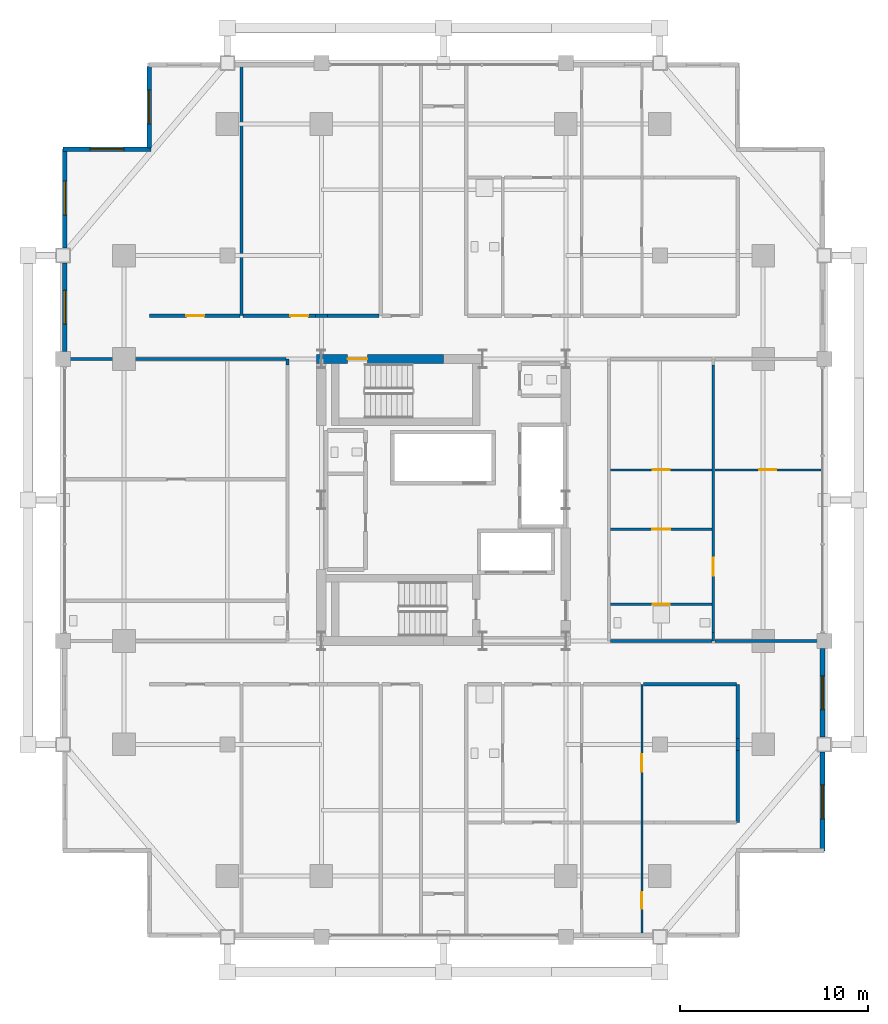
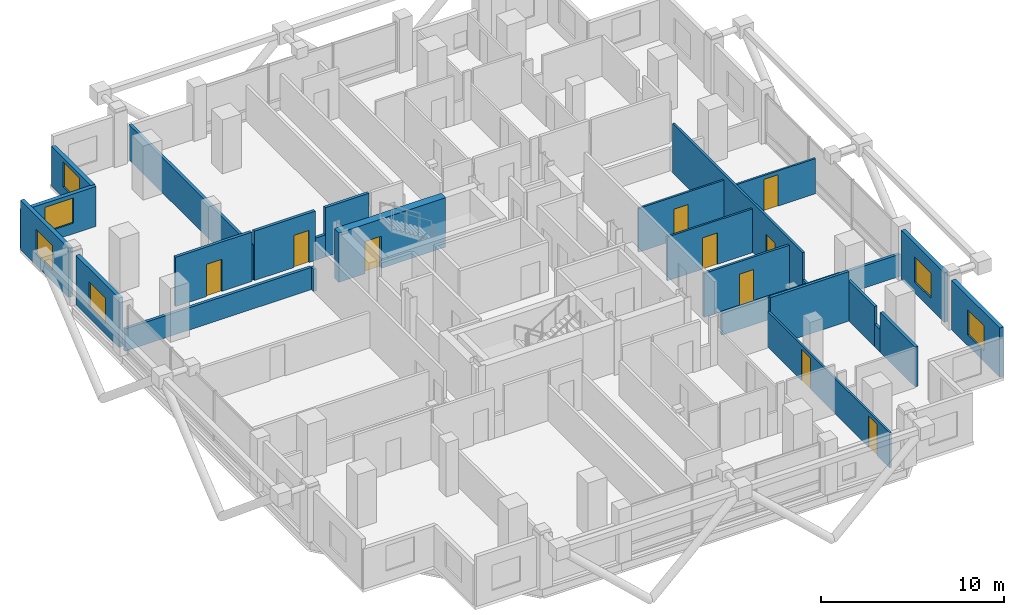
# One storey, part 21 of 25: 27 walls, 10 doors, 6 windows, 16 openings.
"""IFC4 building model written with IfcOpenShell, lengths in metres."""

from ifc_helpers import new_model, si_unit, direction, frame, frame_2d, origin, place, context, subcontext, project, spatial, rectangle, extrude, material, layer, layer_set, type_object, element, fill, save


model = new_model("IFC4")

# Units and contexts
model_context = context("Model", 3, precision=1e-05, world=origin(), true_north=direction((0.0, 1.0)))
body_context = subcontext(model_context, "Body", "Model", "MODEL_VIEW")
ifc_project = project(units=[si_unit("LENGTHUNIT", "METRE"), si_unit("AREAUNIT", "SQUARE_METRE"), si_unit("VOLUMEUNIT", "CUBIC_METRE"), si_unit("PLANEANGLEUNIT", "RADIAN"), si_unit("MASSUNIT", "GRAM", prefix="KILO")], contexts=[model_context])

# Site, building, storey
site_placement = place(None, origin())
site = spatial("IfcSite", under=ifc_project, at=site_placement, CompositionType="ELEMENT")
building_placement = place(site_placement, origin())
building = spatial("IfcBuilding", under=site, at=building_placement, Name="Barlavira Tower and Art Museum", CompositionType="ELEMENT")
storey_placement = place(building_placement, frame((0.0, 0.0, 162.0)))
storey = spatial("IfcBuildingStorey", under=building, at=storey_placement, Name="L41", CompositionType="ELEMENT", Elevation=162.0)

# Wall, openings, doors
ifc_material_1 = material(Name="Gypsum acoustic stud partition", Category="gypsum")
ifc_layer_1 = layer(ifc_material_1, 0.1201171875, Name="Gypsum acoustic stud partition")
ifc_layer_set_1 = layer_set([ifc_layer_1], Name="Gypsum acoustic stud partition")
wall_type_1 = type_object("IfcWallType", Name="Apartment Internal Acoustic Partition 120", PredefinedType="PARTITIONING", material=ifc_layer_set_1)
wall_1_placement = place(storey_placement, frame((10.550048828125, -23.14990234375, 0.0), z_axis=(0.0, 0.0, 1.0), x_axis=(0.0, 1.0, 0.0)))
wall_1 = element("IfcWall", 1, at=wall_1_placement, inside=storey, type_object=wall_type_1, Name="L41 Partition Wall 22", PredefinedType="PARTITIONING", context=body_context, shape_type="SweptSolid", body=[
    extrude(rectangle(XDim=13.349853515625, YDim=0.1201171875, at=frame_2d((6.6748046875, 0.0))), origin(), (0.0, 0.0, 1.0), 2.35302734375),
])
opening_1_placement = place(wall_1_placement, frame((8.686767578125, 0.0, 0.0)))
opening_1 = element("IfcOpeningElement", 2, at=opening_1_placement, cuts=wall_1, Name="Opening D-02", PredefinedType="OPENING", context=body_context, shape_type="SweptSolid", body=[
    extrude(rectangle(XDim=0.949951171875, YDim=2.10009765625, at=frame_2d((0.47509765625, 1.050048828125))), frame((0.0, 0.070068359375, 0.0), z_axis=(0.0, -1.0, 0.0), x_axis=(1.0, 0.0, 0.0)), (0.0, 0.0, 1.0), 0.14013671875),
])
opening_2_placement = place(wall_1_placement, frame((1.39892578125, 0.0, 0.0)))
opening_2 = element("IfcOpeningElement", 3, at=opening_2_placement, cuts=wall_1, Name="Opening D-01", PredefinedType="OPENING", context=body_context, shape_type="SweptSolid", body=[
    extrude(rectangle(XDim=0.89990234375, YDim=2.10009765625, at=frame_2d((0.449951171875, 1.050048828125))), frame((0.0, 0.070068359375, 0.0), z_axis=(0.0, -1.0, 0.0), x_axis=(1.0, 0.0, 0.0)), (0.0, 0.0, 1.0), 0.14013671875),
])
ifc_material_2 = material(Name="Engineered coastal hardwood", Category="wood")
door_type_1 = type_object("IfcDoorType", Name="Internal Bedroom Timber Flush Door 900x2100", OperationType="NOTDEFINED", PredefinedType="DOOR", material=ifc_material_2)
door_1_placement = place(opening_2_placement, origin())
door_1 = element("IfcDoor", 4, at=door_1_placement, inside=storey, type_object=door_type_1, Name="Apartment SE1 Bedroom 2 Door", OperationType="SINGLE_SWING_LEFT", OverallHeight=2.10009765625, OverallWidth=0.89990234375, PredefinedType="DOOR", context=body_context, shape_type="SweptSolid", body=[
    extrude(rectangle(XDim=0.89990234375, YDim=2.10009765625, at=frame_2d((0.449951171875, 1.050048828125))), frame((0.0, 0.02490234375, 0.0), z_axis=(0.0, -1.0, 0.0), x_axis=(1.0, 0.0, 0.0)), (0.0, 0.0, 1.0), 0.050048828125),
])
fill(opening_2, door_1)
door_type_2 = type_object("IfcDoorType", Name="Living and Salon Glazed-Leaf Door 950x2100", OperationType="NOTDEFINED", PredefinedType="DOOR", material=ifc_material_2)
door_2_placement = place(opening_1_placement, origin())
door_2 = element("IfcDoor", 5, at=door_2_placement, inside=storey, type_object=door_type_2, Name="Apartment SE1 Dining Salon Door", OperationType="SINGLE_SWING_RIGHT", OverallHeight=2.10009765625, OverallWidth=0.949951171875, PredefinedType="DOOR", context=body_context, shape_type="SweptSolid", body=[
    extrude(rectangle(XDim=0.949951171875, YDim=2.10009765625, at=frame_2d((0.47509765625, 1.050048828125))), frame((0.0, 0.02490234375, 0.0), z_axis=(0.0, -1.0, 0.0), x_axis=(1.0, 0.0, 0.0)), (0.0, 0.0, 1.0), 0.050048828125),
])
fill(opening_1, door_2)

# Wall, opening, door
wall_2_placement = place(storey_placement, frame((8.8798828125, -1.550048828125, 0.0), z_axis=(0.0, 0.0, 1.0), x_axis=(1.0, 0.0, 0.0)))
wall_2 = element("IfcWall", 6, at=wall_2_placement, inside=storey, type_object=wall_type_1, Name="L41 Partition Wall 59", PredefinedType="PARTITIONING", context=body_context, shape_type="SweptSolid", body=[
    extrude(rectangle(XDim=5.39013671875, YDim=0.1201171875, at=frame_2d((2.695068359375, 0.0))), origin(), (0.0, 0.0, 1.0), 2.930908203125),
])
opening_3_placement = place(wall_2_placement, frame((2.215087890625, 0.0, 0.0)))
opening_3 = element("IfcOpeningElement", 7, at=opening_3_placement, cuts=wall_2, Name="Opening D-02", PredefinedType="OPENING", context=body_context, shape_type="SweptSolid", body=[
    extrude(rectangle(XDim=0.949951171875, YDim=2.10009765625, at=frame_2d((0.47509765625, 1.050048828125))), frame((0.0, 0.070068359375, 0.0), z_axis=(0.0, -1.0, 0.0), x_axis=(1.0, 0.0, 0.0)), (0.0, 0.0, 1.0), 0.14013671875),
])
door_3_placement = place(opening_3_placement, origin())
door_3 = element("IfcDoor", 8, at=door_3_placement, inside=storey, type_object=door_type_2, Name="Apartment E1 Kitchen Door", OperationType="SINGLE_SWING_RIGHT", OverallHeight=2.10009765625, OverallWidth=0.949951171875, PredefinedType="DOOR", context=body_context, shape_type="SweptSolid", body=[
    extrude(rectangle(XDim=0.949951171875, YDim=2.10009765625, at=frame_2d((0.47509765625, 1.050048828125))), frame((0.0, 0.02490234375, 0.0), z_axis=(0.0, -1.0, 0.0), x_axis=(1.0, 0.0, 0.0)), (0.0, 0.0, 1.0), 0.050048828125),
])
fill(opening_3, door_3)

wall_3_placement = place(storey_placement, frame((8.8798828125, 1.60009765625, 0.0), z_axis=(0.0, 0.0, 1.0), x_axis=(1.0, 0.0, 0.0)))
wall_3 = element("IfcWall", 9, at=wall_3_placement, inside=storey, type_object=wall_type_1, Name="L41 Partition Wall 62", PredefinedType="PARTITIONING", context=body_context, shape_type="SweptSolid", body=[
    extrude(rectangle(XDim=5.39013671875, YDim=0.1201171875, at=frame_2d((2.695068359375, 0.0))), origin(), (0.0, 0.0, 1.0), 2.930908203125),
])
opening_4_placement = place(wall_3_placement, frame((2.239990234375, 0.0, 0.0)))
opening_4 = element("IfcOpeningElement", 10, at=opening_4_placement, cuts=wall_3, Name="Opening D-01", PredefinedType="OPENING", context=body_context, shape_type="SweptSolid", body=[
    extrude(rectangle(XDim=0.89990234375, YDim=2.10009765625, at=frame_2d((0.449951171875, 1.050048828125))), frame((0.0, 0.070068359375, 0.0), z_axis=(0.0, -1.0, 0.0), x_axis=(1.0, 0.0, 0.0)), (0.0, 0.0, 1.0), 0.14013671875),
])
door_4_placement = place(opening_4_placement, origin())
door_4 = element("IfcDoor", 11, at=door_4_placement, inside=storey, type_object=door_type_1, Name="Apartment E1 Walk-In Dressing Room Door", OperationType="SINGLE_SWING_LEFT", OverallHeight=2.10009765625, OverallWidth=0.89990234375, PredefinedType="DOOR", context=body_context, shape_type="SweptSolid", body=[
    extrude(rectangle(XDim=0.89990234375, YDim=2.10009765625, at=frame_2d((0.449951171875, 1.050048828125))), frame((0.0, 0.02490234375, 0.0), z_axis=(0.0, -1.0, 0.0), x_axis=(1.0, 0.0, 0.0)), (0.0, 0.0, 1.0), 0.050048828125),
])
fill(opening_4, door_4)

wall_4_placement = place(storey_placement, frame((14.429931640625, 1.60009765625, 0.0), z_axis=(0.0, 0.0, 1.0), x_axis=(1.0, 0.0, 0.0)))
wall_4 = element("IfcWall", 12, at=wall_4_placement, inside=storey, type_object=wall_type_1, Name="L41 Partition Wall 63", PredefinedType="PARTITIONING", context=body_context, shape_type="SweptSolid", body=[
    extrude(rectangle(XDim=5.64013671875, YDim=0.1201171875, at=frame_2d((2.820068359375, 0.0))), origin(), (0.0, 0.0, 1.0), 2.35302734375),
])
opening_5_placement = place(wall_4_placement, frame((2.3701171875, 0.0, 0.0)))
opening_5 = element("IfcOpeningElement", 13, at=opening_5_placement, cuts=wall_4, Name="Opening D-01", PredefinedType="OPENING", context=body_context, shape_type="SweptSolid", body=[
    extrude(rectangle(XDim=0.89990234375, YDim=2.10009765625, at=frame_2d((0.449951171875, 1.050048828125))), frame((0.0, 0.070068359375, 0.0), z_axis=(0.0, -1.0, 0.0), x_axis=(1.0, 0.0, 0.0)), (0.0, 0.0, 1.0), 0.14013671875),
])
door_5_placement = place(opening_5_placement, origin())
door_5 = element("IfcDoor", 14, at=door_5_placement, inside=storey, type_object=door_type_1, Name="Apartment E1 Bedroom 1 Door", OperationType="SINGLE_SWING_LEFT", OverallHeight=2.10009765625, OverallWidth=0.89990234375, PredefinedType="DOOR", context=body_context, shape_type="SweptSolid", body=[
    extrude(rectangle(XDim=0.89990234375, YDim=2.10009765625, at=frame_2d((0.449951171875, 1.050048828125))), frame((0.0, 0.02490234375, 0.0), z_axis=(0.0, -1.0, 0.0), x_axis=(1.0, 0.0, 0.0)), (0.0, 0.0, 1.0), 0.050048828125),
])
fill(opening_5, door_5)

ifc_material_3 = material(Name="Concrete C60", Category="concrete")
ifc_layer_2 = layer(ifc_material_3, 0.5, Name="Concrete C60")
ifc_layer_set_2 = layer_set([ifc_layer_2], Name="Concrete C60")
wall_type_2 = type_object("IfcWallType", Name="Core Structural Shear Wall 500 Concrete C60", PredefinedType="SHEAR", material=ifc_layer_set_2)
wall_5_placement = place(storey_placement, frame((-6.75, 7.5, 0.0), z_axis=(0.0, 0.0, 1.0), x_axis=(1.0, 0.0, 0.0)))
wall_5 = element("IfcWall", 15, at=wall_5_placement, inside=storey, type_object=wall_type_2, Name="L41 Core Shear Wall CS-NW", PredefinedType="SHEAR", context=body_context, shape_type="SweptSolid", body=[
    extrude(rectangle(XDim=6.75, YDim=0.5, at=frame_2d((3.375, 0.0))), origin(), (0.0, 0.0, 1.0), 3.300048828125),
])
opening_6_placement = place(wall_5_placement, frame((1.64990234375, 0.0, 0.0)))
opening_6 = element("IfcOpeningElement", 16, at=opening_6_placement, cuts=wall_5, Name="Opening FD-90", PredefinedType="OPENING", context=body_context, shape_type="SweptSolid", body=[
    extrude(rectangle(XDim=1.050048828125, YDim=2.14990234375, at=frame_2d((0.52490234375, 1.074951171875))), frame((0.0, 0.260009765625, 0.0), z_axis=(0.0, -1.0, 0.0), x_axis=(1.0, 0.0, 0.0)), (0.0, 0.0, 1.0), 0.52001953125),
])
ifc_material_4 = material(Name="Brushed stainless steel", Category="steel")
door_type_3 = type_object("IfcDoorType", Name="Stair and Refuge Fire Door 1050x2150 FD90S", OperationType="NOTDEFINED", PredefinedType="DOOR", material=ifc_material_4)
door_6_placement = place(opening_6_placement, origin())
door_6 = element("IfcDoor", 17, at=door_6_placement, inside=storey, type_object=door_type_3, Name="L41 Stair ST-T2 Fire Door", OperationType="SINGLE_SWING_LEFT", OverallHeight=2.14990234375, OverallWidth=1.050048828125, PredefinedType="DOOR", context=body_context, shape_type="SweptSolid", body=[
    extrude(rectangle(XDim=1.050048828125, YDim=2.14990234375, at=frame_2d((0.52490234375, 1.074951171875))), frame((0.0, 0.02490234375, 0.0), z_axis=(0.0, -1.0, 0.0), x_axis=(1.0, 0.0, 0.0)), (0.0, 0.0, 1.0), 0.050048828125),
])
fill(opening_6, door_6)

# Walls
ifc_layer_3 = layer(ifc_material_1, 0.179931640625, Name="Gypsum acoustic stud partition")
ifc_layer_set_3 = layer_set([ifc_layer_3], Name="Gypsum acoustic stud partition")
wall_type_3 = type_object("IfcWallType", Name="Inter-Tenancy Party Partition Wall 180", PredefinedType="PARTITIONING", material=ifc_layer_set_3)
wall_6_placement = place(storey_placement, frame((-10.75, 9.800048828125, 0.0), z_axis=(0.0, 0.0, 1.0), x_axis=(0.0, 1.0, 0.0)))
element("IfcWall", 18, at=wall_6_placement, inside=storey, type_object=wall_type_3, Name="L41 Partition Wall 2", PredefinedType="PARTITIONING", context=body_context, shape_type="SweptSolid", body=[
    extrude(rectangle(XDim=13.349853515625, YDim=0.179931640625, at=frame_2d((6.6748046875, 0.0))), origin(), (0.0, 0.0, 1.0), 2.35302734375),
])
wall_7_placement = place(storey_placement, frame((-8.300048828125, 7.18505859375, 0.0), z_axis=(0.0, 0.0, 1.0), x_axis=(0.0, 1.0, 0.0)))
element("IfcWall", 19, at=wall_7_placement, inside=storey, type_object=wall_type_3, Name="L41 Partition Wall 5", PredefinedType="PARTITIONING", context=body_context, shape_type="SweptSolid", body=[
    extrude(rectangle(XDim=0.31494140625, YDim=0.179931640625, at=frame_2d((0.157470703125, 0.0))), origin(), (0.0, 0.0, 1.0), 1.485107421875),
])
wall_8_placement = place(storey_placement, frame((15.64990234375, -17.14990234375, 0.0), z_axis=(0.0, 0.0, 1.0), x_axis=(0.0, 1.0, 0.0)))
element("IfcWall", 20, at=wall_8_placement, inside=storey, type_object=wall_type_3, Name="L41 Partition Wall 27", PredefinedType="PARTITIONING", context=body_context, shape_type="SweptSolid", body=[
    extrude(rectangle(XDim=3.8349609375, YDim=0.179931640625, at=frame_2d((1.91748046875, 0.0))), origin(), (0.0, 0.0, 1.0), 2.66796875),
])
wall_9_placement = place(storey_placement, frame((15.64990234375, -13.31494140625, 0.0), z_axis=(0.0, 0.0, 1.0), x_axis=(0.0, 1.0, 0.0)))
element("IfcWall", 21, at=wall_9_placement, inside=storey, type_object=wall_type_3, Name="L41 Partition Wall 28", PredefinedType="PARTITIONING", context=body_context, shape_type="SweptSolid", body=[
    extrude(rectangle(XDim=0.6298828125, YDim=0.179931640625, at=frame_2d((0.31494140625, 0.0))), origin(), (0.0, 0.0, 1.0), 1.485107421875),
])
wall_10_placement = place(storey_placement, frame((15.64990234375, -12.68505859375, 0.0), z_axis=(0.0, 0.0, 1.0), x_axis=(0.0, 1.0, 0.0)))
element("IfcWall", 22, at=wall_10_placement, inside=storey, type_object=wall_type_3, Name="L41 Partition Wall 29", PredefinedType="PARTITIONING", context=body_context, shape_type="SweptSolid", body=[
    extrude(rectangle(XDim=2.885009765625, YDim=0.179931640625, at=frame_2d((1.4423828125, 0.0))), origin(), (0.0, 0.0, 1.0), 2.66796875),
])
wall_11_placement = place(storey_placement, frame((10.6298828125, -9.800048828125, 0.0), z_axis=(0.0, 0.0, 1.0), x_axis=(1.0, 0.0, 0.0)))
element("IfcWall", 23, at=wall_11_placement, inside=storey, type_object=wall_type_3, Name="L41 Partition Wall 52", PredefinedType="PARTITIONING", context=body_context, shape_type="SweptSolid", body=[
    extrude(rectangle(XDim=4.940185546875, YDim=0.179931640625, at=frame_2d((2.47021484375, 0.0))), origin(), (0.0, 0.0, 1.0), 3.300048828125),
])
wall_12_placement = place(storey_placement, frame((8.8798828125, -7.5, 0.0), z_axis=(0.0, 0.0, 1.0), x_axis=(1.0, 0.0, 0.0)))
element("IfcWall", 24, at=wall_12_placement, inside=storey, type_object=wall_type_3, Name="L41 Partition Wall 54", PredefinedType="PARTITIONING", context=body_context, shape_type="SweptSolid", body=[
    extrude(rectangle(XDim=5.39013671875, YDim=0.179931640625, at=frame_2d((2.695068359375, 0.0))), origin(), (0.0, 0.0, 1.0), 1.485107421875),
])
wall_13_placement = place(storey_placement, frame((14.429931640625, -7.5, 0.0), z_axis=(0.0, 0.0, 1.0), x_axis=(1.0, 0.0, 0.0)))
element("IfcWall", 25, at=wall_13_placement, inside=storey, type_object=wall_type_3, Name="L41 Partition Wall 55", PredefinedType="PARTITIONING", context=body_context, shape_type="SweptSolid", body=[
    extrude(rectangle(XDim=5.719970703125, YDim=0.179931640625, at=frame_2d((2.85986328125, 0.0))), origin(), (0.0, 0.0, 1.0), 1.485107421875),
])
wall_14_placement = place(storey_placement, frame((-20.14990234375, 7.5, 0.0), z_axis=(0.0, 0.0, 1.0), x_axis=(1.0, 0.0, 0.0)))
element("IfcWall", 26, at=wall_14_placement, inside=storey, type_object=wall_type_3, Name="L41 Partition Wall 67", PredefinedType="PARTITIONING", context=body_context, shape_type="SweptSolid", body=[
    extrude(rectangle(XDim=11.77001953125, YDim=0.179931640625, at=frame_2d((5.885009765625, 0.0))), origin(), (0.0, 0.0, 1.0), 1.485107421875),
])

# Wall, opening, door
wall_15_placement = place(storey_placement, frame((-15.64990234375, 9.800048828125, 0.0), z_axis=(0.0, 0.0, 1.0), x_axis=(1.0, 0.0, 0.0)))
wall_15 = element("IfcWall", 27, at=wall_15_placement, inside=storey, type_object=wall_type_3, Name="L41 Partition Wall 70", PredefinedType="PARTITIONING", context=body_context, shape_type="SweptSolid", body=[
    extrude(rectangle(XDim=4.81982421875, YDim=0.179931640625, at=frame_2d((2.409912109375, 0.0))), origin(), (0.0, 0.0, 1.0), 3.300048828125),
])
opening_7_placement = place(wall_15_placement, frame((1.97509765625, 0.0, 0.0)))
opening_7 = element("IfcOpeningElement", 28, at=opening_7_placement, cuts=wall_15, Name="Opening FD-60", PredefinedType="OPENING", context=body_context, shape_type="SweptSolid", body=[
    extrude(rectangle(XDim=0.949951171875, YDim=2.14990234375, at=frame_2d((0.47509765625, 1.074951171875))), frame((0.0, 0.10009765625, 0.0), z_axis=(0.0, -1.0, 0.0), x_axis=(1.0, 0.0, 0.0)), (0.0, 0.0, 1.0), 0.199951171875),
])
door_type_4 = type_object("IfcDoorType", Name="Apartment Entrance and Riser Fire Door 950x2150 FD60S", OperationType="NOTDEFINED", PredefinedType="DOOR", material=ifc_material_4)
door_7_placement = place(opening_7_placement, origin())
door_7 = element("IfcDoor", 29, at=door_7_placement, inside=storey, type_object=door_type_4, Name="Resident Art Collectors Salon Door", OperationType="SINGLE_SWING_LEFT", OverallHeight=2.14990234375, OverallWidth=0.949951171875, PredefinedType="DOOR", context=body_context, shape_type="SweptSolid", body=[
    extrude(rectangle(XDim=0.949951171875, YDim=2.14990234375, at=frame_2d((0.47509765625, 1.074951171875))), frame((0.0, 0.02490234375, 0.0), z_axis=(0.0, -1.0, 0.0), x_axis=(1.0, 0.0, 0.0)), (0.0, 0.0, 1.0), 0.050048828125),
])
fill(opening_7, door_7)

wall_16_placement = place(storey_placement, frame((-10.669921875, 9.800048828125, 0.0), z_axis=(0.0, 0.0, 1.0), x_axis=(1.0, 0.0, 0.0)))
wall_16 = element("IfcWall", 30, at=wall_16_placement, inside=storey, type_object=wall_type_3, Name="L41 Partition Wall 71", PredefinedType="PARTITIONING", context=body_context, shape_type="SweptSolid", body=[
    extrude(rectangle(XDim=3.85498046875, YDim=0.179931640625, at=frame_2d((1.927490234375, 0.0))), origin(), (0.0, 0.0, 1.0), 3.300048828125),
])
opening_8_placement = place(wall_16_placement, frame((2.5185546875, 0.0, 0.0)))
opening_8 = element("IfcOpeningElement", 31, at=opening_8_placement, cuts=wall_16, Name="Opening FD-60", PredefinedType="OPENING", context=body_context, shape_type="SweptSolid", body=[
    extrude(rectangle(XDim=0.949951171875, YDim=2.14990234375, at=frame_2d((0.47509765625, 1.074951171875))), frame((0.0, 0.10009765625, 0.0), z_axis=(0.0, -1.0, 0.0), x_axis=(1.0, 0.0, 0.0)), (0.0, 0.0, 1.0), 0.199951171875),
])
door_8_placement = place(opening_8_placement, origin())
door_8 = element("IfcDoor", 32, at=door_8_placement, inside=storey, type_object=door_type_4, Name="Sculpture and Painting Workshop Door", OperationType="SINGLE_SWING_RIGHT", OverallHeight=2.14990234375, OverallWidth=0.949951171875, PredefinedType="DOOR", context=body_context, shape_type="SweptSolid", body=[
    extrude(rectangle(XDim=0.949951171875, YDim=2.14990234375, at=frame_2d((0.47509765625, 1.074951171875))), frame((0.0, 0.02490234375, 0.0), z_axis=(0.0, -1.0, 0.0), x_axis=(1.0, 0.0, 0.0)), (0.0, 0.0, 1.0), 0.050048828125),
])
fill(opening_8, door_8)

# Walls
wall_17_placement = place(storey_placement, frame((-6.81494140625, 9.800048828125, 0.0), z_axis=(0.0, 0.0, 1.0), x_axis=(1.0, 0.0, 0.0)))
element("IfcWall", 33, at=wall_17_placement, inside=storey, type_object=wall_type_3, Name="L41 Partition Wall 72", PredefinedType="PARTITIONING", context=body_context, shape_type="SweptSolid", body=[
    extrude(rectangle(XDim=0.6298828125, YDim=0.179931640625, at=frame_2d((0.31494140625, 0.0))), origin(), (0.0, 0.0, 1.0), 1.485107421875),
])
wall_18_placement = place(storey_placement, frame((-6.18505859375, 9.800048828125, 0.0), z_axis=(0.0, 0.0, 1.0), x_axis=(1.0, 0.0, 0.0)))
element("IfcWall", 34, at=wall_18_placement, inside=storey, type_object=wall_type_3, Name="L41 Partition Wall 73", PredefinedType="PARTITIONING", context=body_context, shape_type="SweptSolid", body=[
    extrude(rectangle(XDim=2.755126953125, YDim=0.179931640625, at=frame_2d((1.37744140625, 0.0))), origin(), (0.0, 0.0, 1.0), 3.300048828125),
])
ifc_layer_4 = layer(ifc_material_1, 0.139892578125, Name="Gypsum acoustic stud partition")
ifc_layer_set_4 = layer_set([ifc_layer_4], Name="Gypsum acoustic stud partition")
wall_type_4 = type_object("IfcWallType", Name="Moisture-Resistant Bathroom Partition 140", PredefinedType="PARTITIONING", material=ifc_layer_set_4)
wall_19_placement = place(storey_placement, frame((14.35009765625, -7.5, 0.0), z_axis=(0.0, 0.0, 1.0), x_axis=(0.0, 1.0, 0.0)))
element("IfcWall", 35, at=wall_19_placement, inside=storey, type_object=wall_type_4, Name="L41 Partition Wall 24", PredefinedType="PARTITIONING", context=body_context, shape_type="SweptSolid", body=[
    extrude(rectangle(XDim=0.449951171875, YDim=0.139892578125, at=frame_2d((0.22509765625, 0.0))), origin(), (0.0, 0.0, 1.0), 1.485107421875),
])

# Wall, opening, door
wall_20_placement = place(storey_placement, frame((14.35009765625, -7.050048828125, 0.0), z_axis=(0.0, 0.0, 1.0), x_axis=(0.0, 1.0, 0.0)))
wall_20 = element("IfcWall", 36, at=wall_20_placement, inside=storey, type_object=wall_type_4, Name="L41 Partition Wall 25", PredefinedType="PARTITIONING", context=body_context, shape_type="SweptSolid", body=[
    extrude(rectangle(XDim=14.235107421875, YDim=0.139892578125, at=frame_2d((7.11767578125, 0.0))), origin(), (0.0, 0.0, 1.0), 3.300048828125),
])
opening_9_placement = place(wall_20_placement, frame((3.02490234375, 0.0, 0.0)))
opening_9 = element("IfcOpeningElement", 37, at=opening_9_placement, cuts=wall_20, Name="Opening D-02", PredefinedType="OPENING", context=body_context, shape_type="SweptSolid", body=[
    extrude(rectangle(XDim=0.949951171875, YDim=2.10009765625, at=frame_2d((0.47509765625, 1.050048828125))), frame((0.0, 0.080078125, 0.0), z_axis=(0.0, -1.0, 0.0), x_axis=(1.0, 0.0, 0.0)), (0.0, 0.0, 1.0), 0.159912109375),
])
door_9_placement = place(opening_9_placement, origin())
door_9 = element("IfcDoor", 38, at=door_9_placement, inside=storey, type_object=door_type_2, Name="Apartment E1 Living Lounge Door", OperationType="SINGLE_SWING_RIGHT", OverallHeight=2.10009765625, OverallWidth=0.949951171875, PredefinedType="DOOR", context=body_context, shape_type="SweptSolid", body=[
    extrude(rectangle(XDim=0.949951171875, YDim=2.10009765625, at=frame_2d((0.47509765625, 1.050048828125))), frame((0.0, 0.02490234375, 0.0), z_axis=(0.0, -1.0, 0.0), x_axis=(1.0, 0.0, 0.0)), (0.0, 0.0, 1.0), 0.050048828125),
])
fill(opening_9, door_9)

wall_21_placement = place(storey_placement, frame((8.8798828125, -5.550048828125, 0.0), z_axis=(0.0, 0.0, 1.0), x_axis=(1.0, 0.0, 0.0)))
wall_21 = element("IfcWall", 39, at=wall_21_placement, inside=storey, type_object=wall_type_4, Name="L41 Partition Wall 56", PredefinedType="PARTITIONING", context=body_context, shape_type="SweptSolid", body=[
    extrude(rectangle(XDim=5.39013671875, YDim=0.139892578125, at=frame_2d((2.695068359375, 0.0))), origin(), (0.0, 0.0, 1.0), 2.930908203125),
])
opening_10_placement = place(wall_21_placement, frame((2.239990234375, 0.0, 0.0)))
opening_10 = element("IfcOpeningElement", 40, at=opening_10_placement, cuts=wall_21, Name="Opening D-WC", PredefinedType="OPENING", context=body_context, shape_type="SweptSolid", body=[
    extrude(rectangle(XDim=0.89990234375, YDim=2.10009765625, at=frame_2d((0.449951171875, 1.050048828125))), frame((0.0, 0.080078125, 0.0), z_axis=(0.0, -1.0, 0.0), x_axis=(1.0, 0.0, 0.0)), (0.0, 0.0, 1.0), 0.159912109375),
])
door_type_5 = type_object("IfcDoorType", Name="Accessible Bathroom Flush Door 900x2100", OperationType="NOTDEFINED", PredefinedType="DOOR", material=ifc_material_2)
door_10_placement = place(opening_10_placement, origin())
door_10 = element("IfcDoor", 41, at=door_10_placement, inside=storey, type_object=door_type_5, Name="Apartment E1 Hall Bathroom Door", OperationType="SINGLE_SWING_RIGHT", OverallHeight=2.10009765625, OverallWidth=0.89990234375, PredefinedType="DOOR", context=body_context, shape_type="SweptSolid", body=[
    extrude(rectangle(XDim=0.89990234375, YDim=2.10009765625, at=frame_2d((0.449951171875, 1.050048828125))), frame((0.0, 0.02490234375, 0.0), z_axis=(0.0, -1.0, 0.0), x_axis=(1.0, 0.0, 0.0)), (0.0, 0.0, 1.0), 0.050048828125),
])
fill(opening_10, door_10)

# Wall, opening, window
ifc_material_5 = material(Name="Precast concrete C40", Category="concrete")
ifc_layer_5 = layer(ifc_material_5, 0.25, Name="Precast concrete C40")
ifc_layer_set_5 = layer_set([ifc_layer_5], Name="Precast concrete C40")
wall_type_5 = type_object("IfcWallType", Name="Notched Corner Spandrel Wall 250 Precast Concrete C40", PredefinedType="SOLIDWALL", material=ifc_layer_set_5)
wall_22_placement = place(storey_placement, frame((-20.14990234375, 18.675048828125, 0.0), z_axis=(0.0, 0.0, 1.0), x_axis=(0.0, -1.0, 0.0)))
wall_22 = element("IfcWall", 42, at=wall_22_placement, inside=storey, type_object=wall_type_5, Name="L41 Coastal Facade Pier Wall CW2-L41-W-1", PredefinedType="SOLIDWALL", context=body_context, shape_type="SweptSolid", body=[
    extrude(rectangle(XDim=5.280029296875, YDim=0.25, at=frame_2d((2.64013671875, 0.0))), origin(), (0.0, 0.0, 1.0), 3.300048828125),
])
opening_11_placement = place(wall_22_placement, frame((1.718017578125, 0.0, 0.719970703125)))
opening_11 = element("IfcOpeningElement", 43, at=opening_11_placement, cuts=wall_22, Name="Opening WN-01", PredefinedType="OPENING", context=body_context, shape_type="SweptSolid", body=[
    extrude(rectangle(XDim=1.800048828125, YDim=1.679931640625, at=frame_2d((0.89990234375, 0.83984375))), frame((0.0, 0.135009765625, 0.0), z_axis=(0.0, -1.0, 0.0), x_axis=(1.0, 0.0, 0.0)), (0.0, 0.0, 1.0), 0.27001953125),
])
ifc_material_6 = material(Name="Low-iron coastal laminated glass", Category="glass")
window_type = type_object("IfcWindowType", Name="Recessed Notch Corner Punch Window 1800x1680", PartitioningType="SINGLE_PANEL", PredefinedType="WINDOW", material=ifc_material_6)
window_1_placement = place(opening_11_placement, origin())
window_1 = element("IfcWindow", 44, at=window_1_placement, inside=storey, type_object=window_type, Name="L41 Punched Facade Window EWP-CW2-L41-W-1-1", OverallHeight=1.679931640625, OverallWidth=1.800048828125, PartitioningType="SINGLE_PANEL", PredefinedType="WINDOW", context=body_context, shape_type="SweptSolid", body=[
    extrude(rectangle(XDim=1.800048828125, YDim=1.679931640625, at=frame_2d((0.89990234375, 0.83984375))), frame((0.0, 0.030029296875, 0.0), z_axis=(0.0, -1.0, 0.0), x_axis=(1.0, 0.0, 0.0)), (0.0, 0.0, 1.0), 0.06005859375),
])
fill(opening_11, window_1)

wall_23_placement = place(storey_placement, frame((-20.14990234375, 12.60498046875, 0.0), z_axis=(0.0, 0.0, 1.0), x_axis=(0.0, -1.0, 0.0)))
wall_23 = element("IfcWall", 45, at=wall_23_placement, inside=storey, type_object=wall_type_5, Name="L41 Coastal Facade Pier Wall CW2-L41-W-2", PredefinedType="SOLIDWALL", context=body_context, shape_type="SweptSolid", body=[
    extrude(rectangle(XDim=4.7099609375, YDim=0.25, at=frame_2d((2.35498046875, 0.0))), origin(), (0.0, 0.0, 1.0), 3.300048828125),
])
opening_12_placement = place(wall_23_placement, frame((1.455078125, 0.0, 0.719970703125)))
opening_12 = element("IfcOpeningElement", 46, at=opening_12_placement, cuts=wall_23, Name="Opening WN-01", PredefinedType="OPENING", context=body_context, shape_type="SweptSolid", body=[
    extrude(rectangle(XDim=1.800048828125, YDim=1.679931640625, at=frame_2d((0.89990234375, 0.83984375))), frame((0.0, 0.135009765625, 0.0), z_axis=(0.0, -1.0, 0.0), x_axis=(1.0, 0.0, 0.0)), (0.0, 0.0, 1.0), 0.27001953125),
])
window_2_placement = place(opening_12_placement, origin())
window_2 = element("IfcWindow", 47, at=window_2_placement, inside=storey, type_object=window_type, Name="L41 Punched Facade Window EWP-CW2-L41-W-2-1", OverallHeight=1.679931640625, OverallWidth=1.800048828125, PartitioningType="SINGLE_PANEL", PredefinedType="WINDOW", context=body_context, shape_type="SweptSolid", body=[
    extrude(rectangle(XDim=1.800048828125, YDim=1.679931640625, at=frame_2d((0.89990234375, 0.83984375))), frame((0.0, 0.030029296875, 0.0), z_axis=(0.0, -1.0, 0.0), x_axis=(1.0, 0.0, 0.0)), (0.0, 0.0, 1.0), 0.06005859375),
])
fill(opening_12, window_2)

wall_24_placement = place(storey_placement, frame((20.14990234375, -18.675048828125, 0.0), z_axis=(0.0, 0.0, 1.0), x_axis=(0.0, 1.0, 0.0)))
wall_24 = element("IfcWall", 48, at=wall_24_placement, inside=storey, type_object=wall_type_5, Name="L41 Coastal Facade Pier Wall CW2-L41-E-1", PredefinedType="SOLIDWALL", context=body_context, shape_type="SweptSolid", body=[
    extrude(rectangle(XDim=5.280029296875, YDim=0.25, at=frame_2d((2.64013671875, 0.0))), origin(), (0.0, 0.0, 1.0), 3.300048828125),
])
opening_13_placement = place(wall_24_placement, frame((1.718017578125, 0.0, 0.719970703125)))
opening_13 = element("IfcOpeningElement", 49, at=opening_13_placement, cuts=wall_24, Name="Opening WN-01", PredefinedType="OPENING", context=body_context, shape_type="SweptSolid", body=[
    extrude(rectangle(XDim=1.800048828125, YDim=1.679931640625, at=frame_2d((0.89990234375, 0.83984375))), frame((0.0, 0.135009765625, 0.0), z_axis=(0.0, -1.0, 0.0), x_axis=(1.0, 0.0, 0.0)), (0.0, 0.0, 1.0), 0.27001953125),
])
window_3_placement = place(opening_13_placement, origin())
window_3 = element("IfcWindow", 50, at=window_3_placement, inside=storey, type_object=window_type, Name="L41 Punched Facade Window EWP-CW2-L41-E-1-1", OverallHeight=1.679931640625, OverallWidth=1.800048828125, PartitioningType="SINGLE_PANEL", PredefinedType="WINDOW", context=body_context, shape_type="SweptSolid", body=[
    extrude(rectangle(XDim=1.800048828125, YDim=1.679931640625, at=frame_2d((0.89990234375, 0.83984375))), frame((0.0, 0.030029296875, 0.0), z_axis=(0.0, -1.0, 0.0), x_axis=(1.0, 0.0, 0.0)), (0.0, 0.0, 1.0), 0.06005859375),
])
fill(opening_13, window_3)

wall_25_placement = place(storey_placement, frame((20.14990234375, -12.60498046875, 0.0), z_axis=(0.0, 0.0, 1.0), x_axis=(0.0, 1.0, 0.0)))
wall_25 = element("IfcWall", 51, at=wall_25_placement, inside=storey, type_object=wall_type_5, Name="L41 Coastal Facade Pier Wall CW2-L41-E-2", PredefinedType="SOLIDWALL", context=body_context, shape_type="SweptSolid", body=[
    extrude(rectangle(XDim=4.7099609375, YDim=0.25, at=frame_2d((2.35498046875, 0.0))), origin(), (0.0, 0.0, 1.0), 3.300048828125),
])
opening_14_placement = place(wall_25_placement, frame((1.455078125, 0.0, 0.719970703125)))
opening_14 = element("IfcOpeningElement", 52, at=opening_14_placement, cuts=wall_25, Name="Opening WN-01", PredefinedType="OPENING", context=body_context, shape_type="SweptSolid", body=[
    extrude(rectangle(XDim=1.800048828125, YDim=1.679931640625, at=frame_2d((0.89990234375, 0.83984375))), frame((0.0, 0.135009765625, 0.0), z_axis=(0.0, -1.0, 0.0), x_axis=(1.0, 0.0, 0.0)), (0.0, 0.0, 1.0), 0.27001953125),
])
window_4_placement = place(opening_14_placement, origin())
window_4 = element("IfcWindow", 53, at=window_4_placement, inside=storey, type_object=window_type, Name="L41 Punched Facade Window EWP-CW2-L41-E-2-1", OverallHeight=1.679931640625, OverallWidth=1.800048828125, PartitioningType="SINGLE_PANEL", PredefinedType="WINDOW", context=body_context, shape_type="SweptSolid", body=[
    extrude(rectangle(XDim=1.800048828125, YDim=1.679931640625, at=frame_2d((0.89990234375, 0.83984375))), frame((0.0, 0.030029296875, 0.0), z_axis=(0.0, -1.0, 0.0), x_axis=(1.0, 0.0, 0.0)), (0.0, 0.0, 1.0), 0.06005859375),
])
fill(opening_14, window_4)

wall_26_placement = place(storey_placement, frame((-15.64990234375, 23.070068359375, 0.0), z_axis=(0.0, 0.0, 1.0), x_axis=(0.0, -1.0, 0.0)))
wall_26 = element("IfcWall", 54, at=wall_26_placement, inside=storey, type_object=wall_type_5, Name="L41 Notch Corner Wall NW1", PredefinedType="SOLIDWALL", context=body_context, shape_type="SweptSolid", body=[
    extrude(rectangle(XDim=4.340087890625, YDim=0.25, at=frame_2d((2.169921875, 0.0))), origin(), (0.0, 0.0, 1.0), 2.66796875),
])
opening_15_placement = place(wall_26_placement, frame((1.27001953125, 0.0, 0.719970703125)))
opening_15 = element("IfcOpeningElement", 55, at=opening_15_placement, cuts=wall_26, Name="Opening WN-01", PredefinedType="OPENING", context=body_context, shape_type="SweptSolid", body=[
    extrude(rectangle(XDim=1.800048828125, YDim=1.679931640625, at=frame_2d((0.89990234375, 0.83984375))), frame((0.0, 0.135009765625, 0.0), z_axis=(0.0, -1.0, 0.0), x_axis=(1.0, 0.0, 0.0)), (0.0, 0.0, 1.0), 0.27001953125),
])
window_5_placement = place(opening_15_placement, origin())
window_5 = element("IfcWindow", 56, at=window_5_placement, inside=storey, type_object=window_type, Name="L41 Punched Facade Window EW-NTC-L41-NW1-1", OverallHeight=1.679931640625, OverallWidth=1.800048828125, PartitioningType="SINGLE_PANEL", PredefinedType="WINDOW", context=body_context, shape_type="SweptSolid", body=[
    extrude(rectangle(XDim=1.800048828125, YDim=1.679931640625, at=frame_2d((0.89990234375, 0.83984375))), frame((0.0, 0.030029296875, 0.0), z_axis=(0.0, -1.0, 0.0), x_axis=(1.0, 0.0, 0.0)), (0.0, 0.0, 1.0), 0.06005859375),
])
fill(opening_15, window_5)

wall_27_placement = place(storey_placement, frame((-15.570068359375, 18.64990234375, 0.0), z_axis=(0.0, 0.0, 1.0), x_axis=(-1.0, 0.0, 0.0)))
wall_27 = element("IfcWall", 57, at=wall_27_placement, inside=storey, type_object=wall_type_5, Name="L41 Notch Corner Wall NW2", PredefinedType="SOLIDWALL", context=body_context, shape_type="SweptSolid", body=[
    extrude(rectangle(XDim=4.659912109375, YDim=0.25, at=frame_2d((2.330078125, 0.0))), origin(), (0.0, 0.0, 1.0), 2.66796875),
])
opening_16_placement = place(wall_27_placement, frame((1.429931640625, 0.0, 0.719970703125)))
opening_16 = element("IfcOpeningElement", 58, at=opening_16_placement, cuts=wall_27, Name="Opening WN-01", PredefinedType="OPENING", context=body_context, shape_type="SweptSolid", body=[
    extrude(rectangle(XDim=1.800048828125, YDim=1.679931640625, at=frame_2d((0.89990234375, 0.83984375))), frame((0.0, 0.135009765625, 0.0), z_axis=(0.0, -1.0, 0.0), x_axis=(1.0, 0.0, 0.0)), (0.0, 0.0, 1.0), 0.27001953125),
])
window_6_placement = place(opening_16_placement, origin())
window_6 = element("IfcWindow", 59, at=window_6_placement, inside=storey, type_object=window_type, Name="L41 Punched Facade Window EW-NTC-L41-NW2-1", OverallHeight=1.679931640625, OverallWidth=1.800048828125, PartitioningType="SINGLE_PANEL", PredefinedType="WINDOW", context=body_context, shape_type="SweptSolid", body=[
    extrude(rectangle(XDim=1.800048828125, YDim=1.679931640625, at=frame_2d((0.89990234375, 0.83984375))), frame((0.0, 0.030029296875, 0.0), z_axis=(0.0, -1.0, 0.0), x_axis=(1.0, 0.0, 0.0)), (0.0, 0.0, 1.0), 0.06005859375),
])
fill(opening_16, window_6)

save(model, "model.ifc")
